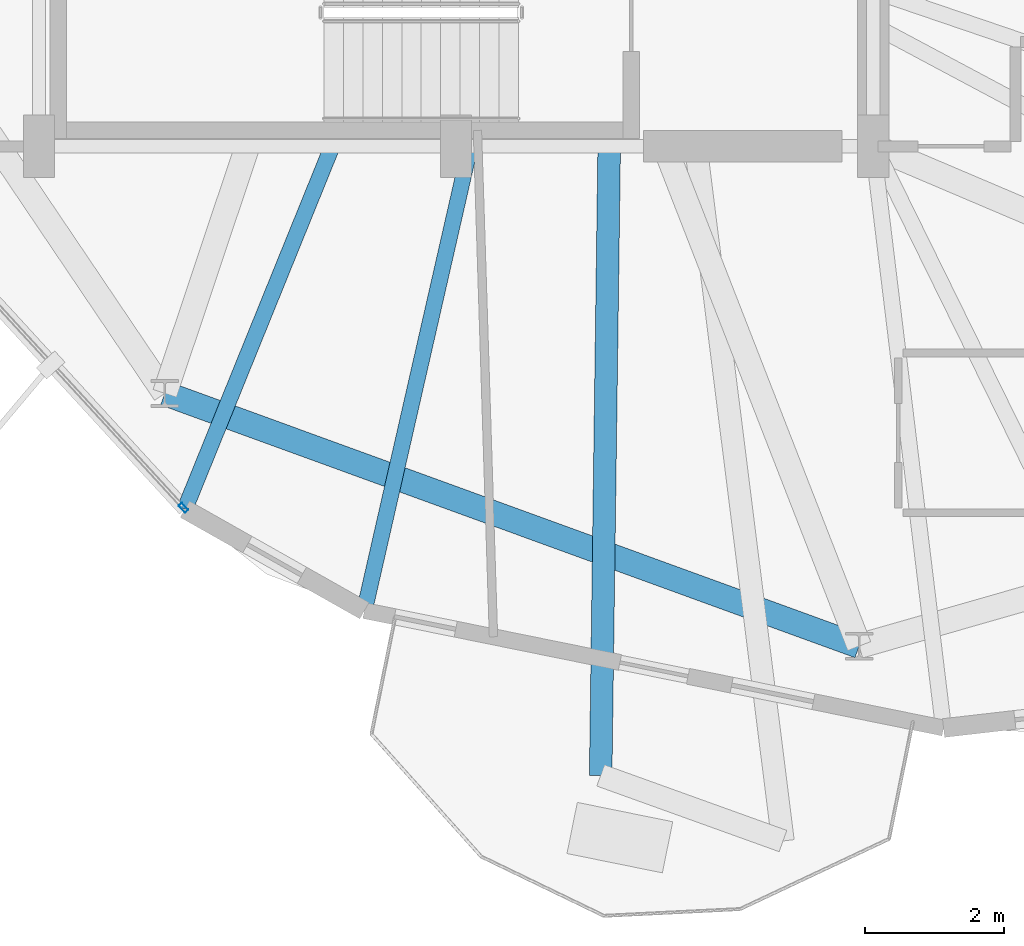
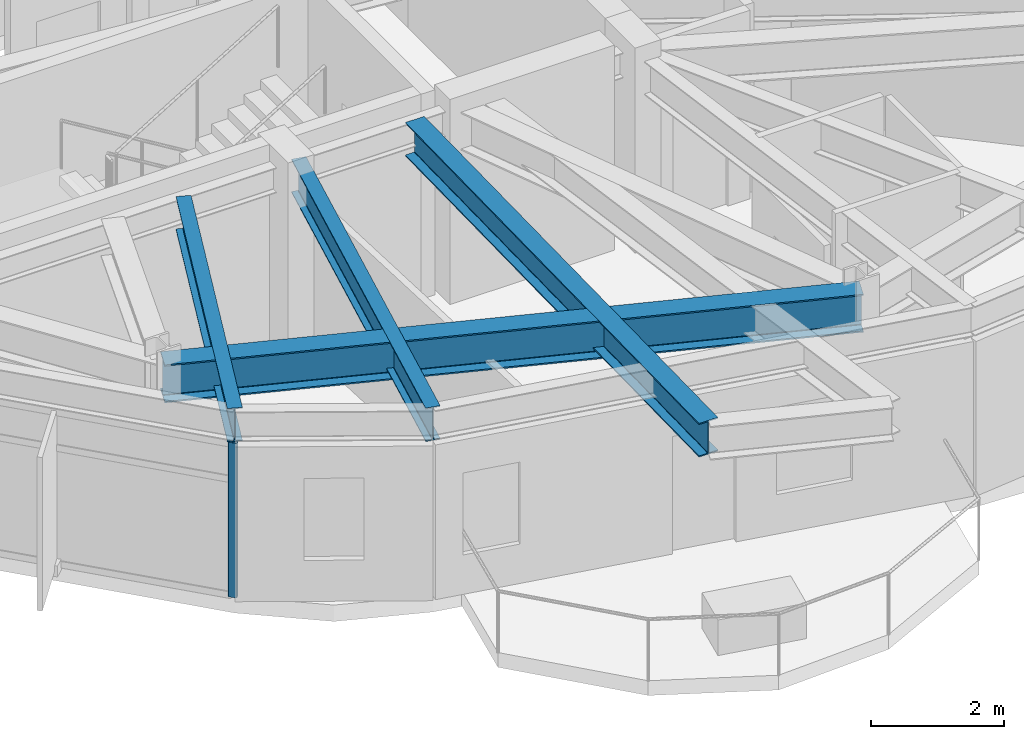
# One storey, part 2 of 23: 4 beams, 1 member, 1 element without a shape of its own.
"""IFC4 building model written with IfcOpenShell, lengths in metres."""

from ifc_helpers import new_model, si_unit, direction, frame, origin, origin_2d, place, context, subcontext, project, spatial, hollow_rectangle, i_section, extrude, material, layer, layer_set, material_profile, profile_set, type_object, element, aggregate, save


model = new_model("IFC4")

# Units and contexts
model_context = context("Model", 3, precision=1e-05, world=origin(), true_north=direction((0.0, 1.0)))
body_context = subcontext(model_context, "Body", "Model", "MODEL_VIEW")
ifc_project = project(units=[si_unit("LENGTHUNIT", "METRE"), si_unit("AREAUNIT", "SQUARE_METRE"), si_unit("VOLUMEUNIT", "CUBIC_METRE"), si_unit("PLANEANGLEUNIT", "RADIAN"), si_unit("MASSUNIT", "GRAM", prefix="KILO")], contexts=[model_context])

# Site, building, storey
site_placement = place(None, origin())
site = spatial("IfcSite", under=ifc_project, at=site_placement, CompositionType="ELEMENT")
building_placement = place(site_placement, origin())
building = spatial("IfcBuilding", under=site, at=building_placement, Name="Soratama Intermodal Tower", CompositionType="ELEMENT")
storey_placement = place(building_placement, frame((0.0, 0.0, 261.25)))
storey = spatial("IfcBuildingStorey", under=building, at=storey_placement, Name="L66", CompositionType="ELEMENT", Elevation=261.25)

# Beams
ifc_material_1 = material(Name="Structural steel ASTM A992 Grade 50", Category="steel")
ifc_material_profile_1 = material_profile(ifc_material_1, i_section(OverallWidth=0.324951171875, OverallDepth=0.615966796875, WebThickness=0.013916015625, FlangeThickness=0.021484375, FilletRadius=0.013916015625, at=origin_2d()), Name="W24X117")
ifc_profile_set_1 = profile_set([ifc_material_profile_1], Name="Structural steel ASTM A992 Grade 50")
beam_type_1 = type_object("IfcBeamType", Name="BM-CANT-W24X117", PredefinedType="BEAM", material=ifc_profile_set_1)
beam_1_placement = place(storey_placement, frame((40.802978515625, 14.9599609375, 3.14208984375), z_axis=(-0.013548524627, -0.999908214528, 0.0), x_axis=(0.999908214528, -0.013548524627, 0.0)))
element("IfcBeam", 1, at=beam_1_placement, inside=storey, type_object=beam_type_1, Name="BM-L66-CANT-3-1", PredefinedType="BEAM", context=body_context, shape_type="SweptSolid", body=[
    extrude(i_section(OverallWidth=0.324951171875, OverallDepth=0.615966796875, WebThickness=0.013916015625, FlangeThickness=0.021484375, FilletRadius=0.013916015625, at=origin_2d()), origin(), (0.0, 0.0, 1.0), 9.009765625),
])
ifc_material_2 = material(Name="Structural steel ASTM A992 Grade 50", Category="steel")
ifc_material_profile_2 = material_profile(ifc_material_2, i_section(OverallWidth=0.35498046875, OverallDepth=0.695068359375, WebThickness=0.015380859375, FlangeThickness=0.02490234375, FilletRadius=0.01611328125, at=origin_2d()), Name="W27X146")
ifc_profile_set_2 = profile_set([ifc_material_profile_2], Name="Structural steel ASTM A992 Grade 50")
beam_type_2 = type_object("IfcBeamType", Name="BM-RING-W27X146", PredefinedType="BEAM", material=ifc_profile_set_2)
beam_2_placement = place(storey_placement, frame((34.410888671875, 11.446044921875, 3.1025390625), z_axis=(0.939713598519, -0.341962501976, 0.0), x_axis=(0.341962501976, 0.939713598519, 0.0)))
element("IfcBeam", 2, at=beam_2_placement, inside=storey, type_object=beam_type_2, Name="BM-L66-RING-07", PredefinedType="BEAM", context=body_context, shape_type="SweptSolid", body=[
    extrude(i_section(OverallWidth=0.35498046875, OverallDepth=0.695068359375, WebThickness=0.015380859375, FlangeThickness=0.02490234375, FilletRadius=0.01611328125, at=origin_2d()), origin(), (0.0, 0.0, 1.0), 10.6298828125),
])
ifc_material_3 = material(Name="Structural steel ASTM A992 Grade 50", Category="steel")
ifc_material_profile_3 = material_profile(ifc_material_3, i_section(OverallWidth=0.22900390625, OverallDepth=0.612060546875, WebThickness=0.011962890625, FlangeThickness=0.01953125, FilletRadius=0.012939453125, at=origin_2d()), Name="W24X84")
ifc_profile_set_3 = profile_set([ifc_material_profile_3], Name="Structural steel ASTM A992 Grade 50")
beam_type_3 = type_object("IfcBeamType", Name="BM-TIE-W24X84", PredefinedType="BEAM", material=ifc_profile_set_3)
beam_3_placement = place(storey_placement, frame((36.802978515625, 14.962890625, 3.14404296875), z_axis=(-0.376141719276, -0.926562144176, 0.0), x_axis=(0.926562144176, -0.376141719276, 0.0)))
element("IfcBeam", 3, at=beam_3_placement, inside=storey, type_object=beam_type_3, Name="BM-L66-TIE1-05", PredefinedType="BEAM", context=body_context, shape_type="SweptSolid", body=[
    extrude(i_section(OverallWidth=0.22900390625, OverallDepth=0.612060546875, WebThickness=0.011962890625, FlangeThickness=0.01953125, FilletRadius=0.012939453125, at=origin_2d()), origin(), (0.0, 0.0, 1.0), 5.59375),
])
beam_4_placement = place(storey_placement, frame((38.794921875, 14.9609375, 3.14404296875), z_axis=(-0.222161846626, -0.975009801953, 0.0), x_axis=(0.975009801953, -0.222161846626, 0.0)))
element("IfcBeam", 4, at=beam_4_placement, inside=storey, type_object=beam_type_3, Name="BM-L66-TIE0-06", PredefinedType="BEAM", context=body_context, shape_type="SweptSolid", body=[
    extrude(i_section(OverallWidth=0.22900390625, OverallDepth=0.612060546875, WebThickness=0.011962890625, FlangeThickness=0.01953125, FilletRadius=0.012939453125, at=origin_2d()), origin(), (0.0, 0.0, 1.0), 6.81005859375),
])

# Curtain wall, member
ifc_material_4 = material(Name="Double-glazed aluminium curtain wall", Category="aluminium")
ifc_layer = layer(ifc_material_4, 0.159912109375)
ifc_layer_set = layer_set([ifc_layer], Name="Double-glazed aluminium curtain wall")
curtain_wall_type = type_object("IfcCurtainWallType", Name="CW-SYS-5", PredefinedType="NOTDEFINED", material=ifc_layer_set)
curtain_wall_placement = place(storey_placement, origin())
curtain_wall = element("IfcCurtainWall", 5, at=curtain_wall_placement, inside=storey, type_object=curtain_wall_type, Name="L66 Faceted Curtain Wall F05", PredefinedType="NOTDEFINED")
ifc_material_5 = material(Name="Anodised aluminium AA 6063-T6", Category="aluminium")
ifc_material_profile_4 = material_profile(ifc_material_5, hollow_rectangle(XDim=0.06494140625, YDim=0.139892578125, WallThickness=0.0048828125, InnerFilletRadius=0.0048828125, OuterFilletRadius=0.010009765625, at=origin_2d()), Name="CWM140X65X5")
ifc_profile_set_4 = profile_set([ifc_material_profile_4], Name="Anodised aluminium AA 6063-T6")
member_type = type_object("IfcMemberType", Name="MT-CWM-5", PredefinedType="MULLION", material=ifc_profile_set_4)
member_placement = place(storey_placement, frame((34.67919921875, 9.802001953125, 0.0), z_axis=(0.0, 0.0, 1.0), x_axis=(0.736802912702, 0.676107585991, 0.0)))
member = element("IfcMember", 6, at=member_placement, type_object=member_type, Name="CW-5 mullion 2", PredefinedType="MULLION", context=body_context, shape_type="SweptSolid", body=[
    extrude(hollow_rectangle(XDim=0.06494140625, YDim=0.139892578125, WallThickness=0.0048828125, InnerFilletRadius=0.0048828125, OuterFilletRadius=0.010009765625, at=origin_2d()), origin(), (0.0, 0.0, 1.0), 2.8291015625),
])
aggregate(curtain_wall, [member])

save(model, "model.ifc")
